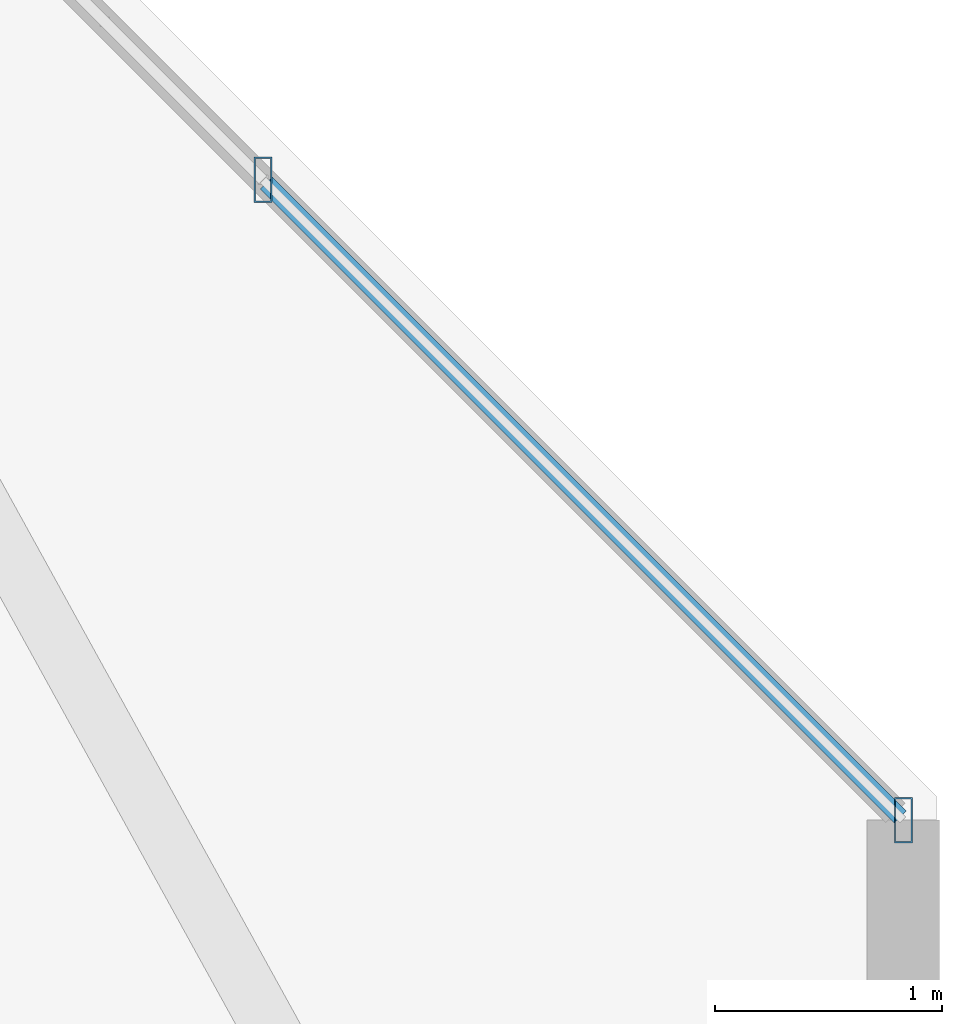
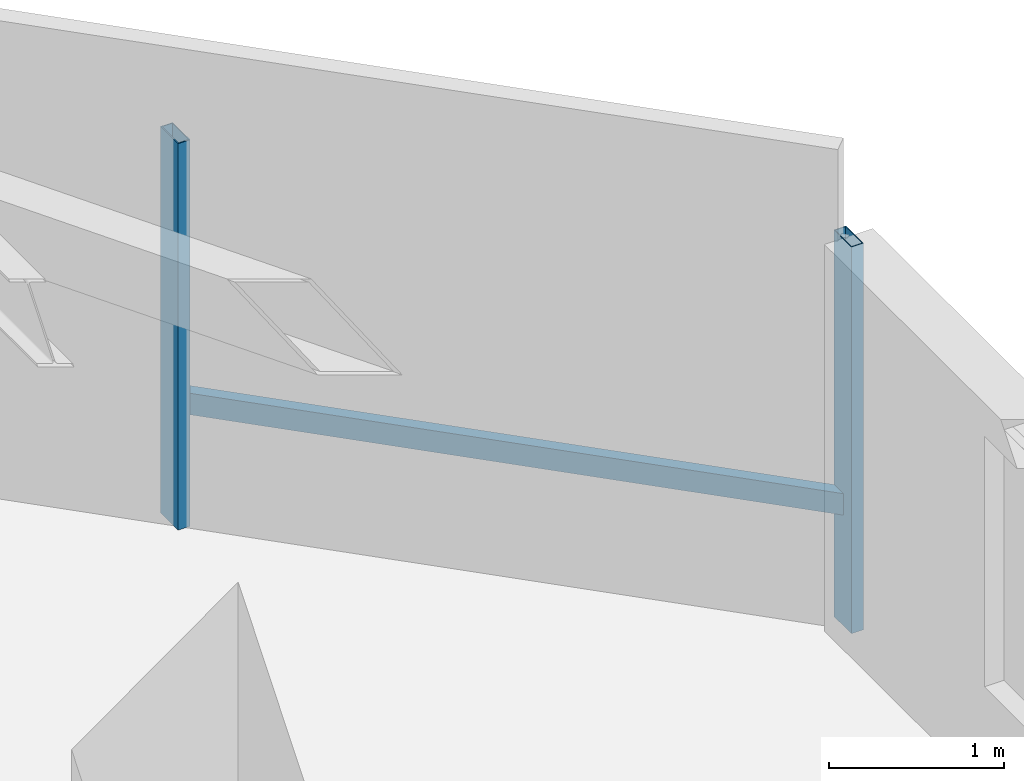
# One storey, part 17 of 32: 3 members, 1 element without a shape of its own.
"""IFC4 building model written with IfcOpenShell, lengths in metres."""

from ifc_helpers import new_model, si_unit, direction, frame, origin, origin_2d, place, context, subcontext, project, spatial, hollow_rectangle, extrude, material, material_profile, profile_set, type_object, element, aggregate, save


model = new_model("IFC4")

# Units and contexts
model_context = context("Model", 3, precision=1e-05, world=origin(), true_north=direction((0.0, 1.0)))
body_context = subcontext(model_context, "Body", "Model", "MODEL_VIEW")
ifc_project = project(units=[si_unit("LENGTHUNIT", "METRE"), si_unit("AREAUNIT", "SQUARE_METRE"), si_unit("VOLUMEUNIT", "CUBIC_METRE"), si_unit("PLANEANGLEUNIT", "RADIAN"), si_unit("MASSUNIT", "GRAM", prefix="KILO")], contexts=[model_context])

# Site, building, storey
site_placement = place(None, origin())
site = spatial("IfcSite", under=ifc_project, at=site_placement, CompositionType="ELEMENT")
building_placement = place(site_placement, origin())
building = spatial("IfcBuilding", under=site, at=building_placement, Name="Thornwick Lancets Civic Towers", CompositionType="ELEMENT")
storey_placement = place(building_placement, frame((0.0, 0.0, 182.10009765625)))
storey = spatial("IfcBuildingStorey", under=building, at=storey_placement, Name="L48", CompositionType="ELEMENT", Elevation=182.10009765625)

# Curtain wall, members
ifc_material_1 = material(Name="Mid-zone chamfered-corner unitised glass curtain wall", Category="glass")
curtain_wall_type = type_object("IfcCurtainWallType", Name="CW_SYS_04", PredefinedType="NOTDEFINED", material=ifc_material_1)
curtain_wall_placement = place(storey_placement, origin())
curtain_wall = element("IfcCurtainWall", 1, at=curtain_wall_placement, inside=storey, type_object=curtain_wall_type, Name="L48 Curtain Wall CW-L48-B-E3", PredefinedType="NOTDEFINED")
ifc_material_2 = material(Name="Thermally broken bronze aluminium S355", Category="steel")
ifc_material_profile_1 = material_profile(ifc_material_2, hollow_rectangle(XDim=0.080078125, YDim=0.199951171875, WallThickness=0.006103515625, at=origin_2d()), Name="RHS 200x80x6")
ifc_profile_set_1 = profile_set([ifc_material_profile_1], Name="Thermally broken bronze aluminium S355")
member_type_1 = type_object("IfcMemberType", Name="CW_MUL_200", PredefinedType="MULLION", material=ifc_profile_set_1)
member_1_placement = place(storey_placement, frame((106.254638671875, 45.14794921875, 0.0), z_axis=(0.0, 0.0, 1.0), x_axis=(1.0, 0.0, 0.0)))
member_1 = element("IfcMember", 2, at=member_1_placement, type_object=member_type_1, Name="CW-L48-B-E3 Mullion 0", PredefinedType="MULLION", context=body_context, shape_type="SweptSolid", body=[
    extrude(hollow_rectangle(XDim=0.080078125, YDim=0.199951171875, WallThickness=0.006103515625, at=origin_2d()), origin(), (0.0, 0.0, 1.0), 2.699951171875),
])
member_2_placement = place(storey_placement, frame((103.43505859375, 47.96728515625, 0.0), z_axis=(0.0, 0.0, 1.0), x_axis=(1.0, 0.0, 0.0)))
member_2 = element("IfcMember", 3, at=member_2_placement, type_object=member_type_1, Name="CW-L48-B-E3 Mullion 1", PredefinedType="MULLION", context=body_context, shape_type="SweptSolid", body=[
    extrude(hollow_rectangle(XDim=0.080078125, YDim=0.199951171875, WallThickness=0.006103515625, at=origin_2d()), origin(), (0.0, 0.0, 1.0), 2.699951171875),
])
ifc_material_profile_2 = material_profile(ifc_material_2, hollow_rectangle(XDim=0.074951171875, YDim=0.14990234375, WallThickness=0.0048828125, at=origin_2d()), Name="RHS 150x75x5")
ifc_profile_set_2 = profile_set([ifc_material_profile_2], Name="Thermally broken bronze aluminium S355")
member_type_2 = type_object("IfcMemberType", Name="CW_TRN_150", PredefinedType="USERDEFINED", material=ifc_profile_set_2)
member_3_placement = place(storey_placement, frame((106.240478515625, 45.162109375, 0.849853515625), z_axis=(-0.707137705801, 0.707075855219, 0.0), x_axis=(-0.707075855219, -0.707137705801, 0.0)))
member_3 = element("IfcMember", 4, at=member_3_placement, type_object=member_type_2, Name="CW-L48-B-E3 Transom 0", ObjectType="TRANSOM", PredefinedType="USERDEFINED", context=body_context, shape_type="SweptSolid", body=[
    extrude(hollow_rectangle(XDim=0.074951171875, YDim=0.14990234375, WallThickness=0.0048828125, at=origin_2d()), origin(), (0.0, 0.0, 1.0), 3.947265625),
])
aggregate(curtain_wall, [member_1, member_2, member_3])

save(model, "model.ifc")
